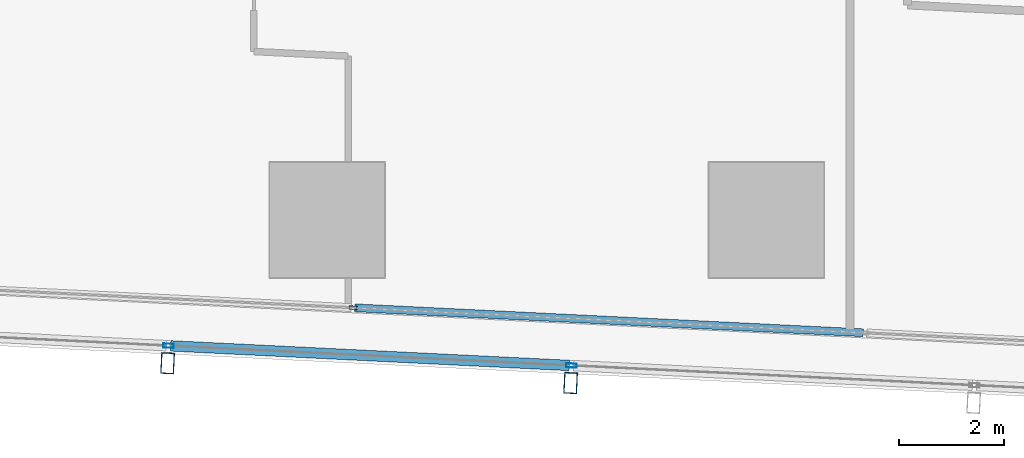
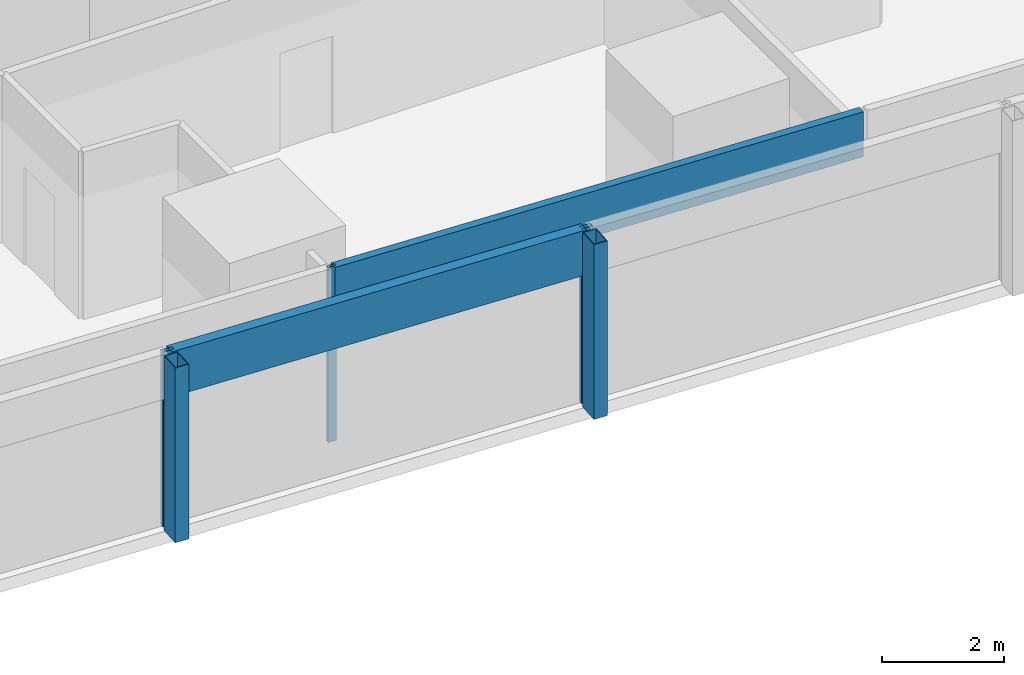
# One storey, part 5 of 42: 7 members, 2 elements without a shape of their own.
"""IFC4 building model written with IfcOpenShell, lengths in metres."""

import ifcopenshell
import ifcopenshell.guid

model = None  # the IFC model being written
_history = None  # IfcOwnerHistory: only IFC2X3 demands one
_inside = {}  # id of a spatial element -> (the spatial element, [elements in it])
_under = {}  # id of a project, library or spatial element -> (it, [spatial elements below it])
_declared = {}  # id of a project -> (the project, [libraries it declares])
_typed = {}  # id of a type object -> (the type object, [elements of that type])
_made_of = {}  # id of a material, layer set ... -> (it, [elements and type objects made of it])


def new_model(schema):
    """Start an empty IFC model of exactly this schema.

    Asked for "IFC4X3", IfcOpenShell would pick the latest addendum, in which some entities
    have other attributes; the version numbers below select the first issue.
    IFC2X3 requires an IfcOwnerHistory on every rooted entity: one is made here for all.
    """
    global model, _history
    if schema == "IFC4X3":
        model = ifcopenshell.file(schema_version=(4, 3, 0, 0))
    else:
        model = ifcopenshell.file(schema=schema)
    _inside.clear()
    _under.clear()
    _declared.clear()
    _typed.clear()
    _made_of.clear()
    _history = None
    if model.schema == "IFC2X3":
        org = make("IfcOrganization", Name="unknown")
        user = make(
            "IfcPersonAndOrganization",
            ThePerson=make("IfcPerson", FamilyName="unknown"),
            TheOrganization=org,
        )
        app = make(
            "IfcApplication",
            ApplicationDeveloper=org,
            Version="unknown",
            ApplicationFullName="unknown",
            ApplicationIdentifier="unknown",
        )
        _history = make(
            "IfcOwnerHistory",
            OwningUser=user,
            OwningApplication=app,
            ChangeAction="ADDED",
            CreationDate=0,
        )
    return model


def make(cls, **values):
    """One entity of the class cls with the attributes given. An attribute that is None is left unset."""
    return model.create_entity(
        cls, **{name: value for name, value in values.items() if value is not None}
    )


def rooted(cls, **values):
    """An entity with a GlobalId (a new one), such as an element, a storey or a relation."""
    return make(cls, GlobalId=ifcopenshell.guid.new(), OwnerHistory=_history, **values)


def si_unit(unit_type, name, prefix=None):
    """IfcSIUnit, for example si_unit("LENGTHUNIT", "METRE", prefix="MILLI")."""
    return make("IfcSIUnit", UnitType=unit_type, Prefix=prefix, Name=name)


def assignment(units):
    """IfcUnitAssignment: the units of a project."""
    return None if units is None else make("IfcUnitAssignment", Units=units)


def point(xyz):
    """IfcCartesianPoint."""
    return None if xyz is None else make("IfcCartesianPoint", Coordinates=xyz)


def direction(xyz):
    """IfcDirection."""
    return None if xyz is None else make("IfcDirection", DirectionRatios=xyz)


def frame(location, z_axis=None, x_axis=None):
    """IfcAxis2Placement3D, a coordinate frame: its origin and axes. An axis left out is left unset."""
    return make(
        "IfcAxis2Placement3D",
        Location=point(location),
        Axis=direction(z_axis),
        RefDirection=direction(x_axis),
    )


def frame_2d(location, x_axis=None):
    """IfcAxis2Placement2D, a coordinate frame in the plane: its origin and x axis."""
    return make(
        "IfcAxis2Placement2D", Location=point(location), RefDirection=direction(x_axis)
    )


def origin():
    """The frame at (0, 0, 0) with its axes left unset."""
    return frame((0.0, 0.0, 0.0))


def origin_2d():
    """The frame at (0, 0) in the plane with its x axis left unset."""
    return frame_2d((0.0, 0.0))


def place(relative_to, where):
    """IfcLocalPlacement: puts the frame where relative to a parent placement (None: the world)."""
    return make(
        "IfcLocalPlacement", PlacementRelTo=relative_to, RelativePlacement=where
    )


def context(
    kind, dimensions, precision=None, world=None, true_north=None, identifier=None
):
    """IfcGeometricRepresentationContext, for example the 3D "Model" context."""
    return make(
        "IfcGeometricRepresentationContext",
        ContextIdentifier=identifier,
        ContextType=kind,
        CoordinateSpaceDimension=dimensions,
        Precision=precision,
        WorldCoordinateSystem=world,
        TrueNorth=true_north,
    )


def subcontext(parent, identifier, kind, view, scale=None):
    """IfcGeometricRepresentationSubContext, for example "Body" below "Model"."""
    return make(
        "IfcGeometricRepresentationSubContext",
        ContextIdentifier=identifier,
        ContextType=kind,
        ParentContext=parent,
        TargetScale=scale,
        TargetView=view,
    )


def project(units=None, contexts=None):
    """IfcProject with its units and contexts."""
    return rooted(
        "IfcProject",
        Name="project",
        RepresentationContexts=contexts,
        UnitsInContext=assignment(units),
    )


def spatial(cls, under=None, at=None, **own):
    """A site, building, storey or space (cls), placed at a placement, below another one or the project."""
    s = rooted(cls, ObjectPlacement=at, **own)
    if under is not None:
        _under.setdefault(under.id(), (under, []))[1].append(s)
    return s


def profile(cls, at=None, kind="AREA", **sizes):
    """A parametric profile (cls). Its sizes go by their IFC names, for example OverallWidth=200.0."""
    return make(cls, ProfileType=kind, Position=at, **sizes)


def hollow_rectangle(**sizes):
    """IfcRectangleHollowProfileDef."""
    return profile("IfcRectangleHollowProfileDef", **sizes)


def extrude(swept, where, along, depth):
    """IfcExtrudedAreaSolid: the profile swept, set in the frame where, extruded along a direction by depth."""
    return make(
        "IfcExtrudedAreaSolid",
        SweptArea=swept,
        Position=where,
        ExtrudedDirection=direction(along),
        Depth=depth,
    )


def shape(context_of_items, identifier, shape_type, items):
    """IfcShapeRepresentation: the items that make up one representation, for example the "Body"."""
    return make(
        "IfcShapeRepresentation",
        ContextOfItems=context_of_items,
        RepresentationIdentifier=identifier,
        RepresentationType=shape_type,
        Items=items,
    )


def material(Name=None, Category=None):
    """IfcMaterial."""
    return make("IfcMaterial", Name=Name, Category=Category)


def material_profile(
    of_material, cross_section, Name=None, Category=None, Priority=None
):
    """IfcMaterialProfile: a cross section and its material."""
    return make(
        "IfcMaterialProfile",
        Name=Name,
        Material=of_material,
        Profile=cross_section,
        Priority=Priority,
        Category=Category,
    )


def profile_set(profiles, Name=None, composite=None):
    """IfcMaterialProfileSet."""
    return make(
        "IfcMaterialProfileSet",
        Name=Name,
        MaterialProfiles=profiles,
        CompositeProfile=composite,
    )


def made_of(thing, what):
    """Note that an element or type object is made of a material, layer set ...; save() writes the relation."""
    if what is not None:
        _made_of.setdefault(what.id(), (what, []))[1].append(thing)
    return thing


def type_object(cls, material=None, **own):
    """A type object (cls), such as IfcWallType, which elements share."""
    return made_of(rooted(cls, **own), material)


def element(
    cls,
    number,
    at=None,
    inside=None,
    cuts=None,
    type_object=None,
    material=None,
    context=None,
    identifier="Body",
    shape_type=None,
    held_by="IfcProductDefinitionShape",
    body=None,
    shapes=None,
    **own,
):
    """One element of the class cls, such as IfcWall. Its Tag is "e" and its number.

    at: its placement. inside: the storey or other place that contains it. cuts: it is an
    opening in that element (IfcRelVoidsElement). A single representation is given by context,
    identifier, shape_type and body (its items); several are given by shapes. held_by: the class
    of the entity that holds the representations. save() writes the other relations.
    """
    e = rooted(cls, Tag="e%d" % number, ObjectPlacement=at, **own)
    if body is not None:
        shapes = [shape(context, identifier, shape_type, body)]
    if shapes is not None:
        e.Representation = make(held_by, Representations=shapes)
    if inside is not None:
        _inside.setdefault(inside.id(), (inside, []))[1].append(e)
    if cuts is not None:
        rooted(
            "IfcRelVoidsElement", RelatingBuildingElement=cuts, RelatedOpeningElement=e
        )
    if type_object is not None:
        _typed.setdefault(type_object.id(), (type_object, []))[1].append(e)
    return made_of(e, material)


def aggregate(whole, parts):
    """IfcRelAggregates: a whole, such as a stair, and the parts it consists of."""
    return rooted("IfcRelAggregates", RelatingObject=whole, RelatedObjects=parts)


def save(model, path):
    """Write the relations noted so far, then the file.

    IfcRelAggregates (storeys below a building ...), IfcRelContainedInSpatialStructure (elements
    in a storey), IfcRelDefinesByType, IfcRelAssociatesMaterial and IfcRelDeclares: one each for
    every whole, place, type object, material and project.
    """
    for whole, parts in _under.values():
        aggregate(whole, parts)
    for where, things in _inside.values():
        rooted(
            "IfcRelContainedInSpatialStructure",
            RelatedElements=things,
            RelatingStructure=where,
        )
    for kind, things in _typed.values():
        rooted("IfcRelDefinesByType", RelatedObjects=things, RelatingType=kind)
    for what, things in _made_of.values():
        rooted("IfcRelAssociatesMaterial", RelatedObjects=things, RelatingMaterial=what)
    for by, libraries in _declared.values():
        rooted("IfcRelDeclares", RelatingContext=by, RelatedDefinitions=libraries)
    model.write(path)


model = new_model("IFC4")

# Units and contexts
model_context = context("Model", 3, precision=1e-05, world=origin(), true_north=direction((0.0, 1.0)))
body_context = subcontext(model_context, "Body", "Model", "MODEL_VIEW")
ifc_project = project(units=[si_unit("LENGTHUNIT", "METRE"), si_unit("AREAUNIT", "SQUARE_METRE"), si_unit("VOLUMEUNIT", "CUBIC_METRE"), si_unit("PLANEANGLEUNIT", "RADIAN"), si_unit("MASSUNIT", "GRAM", prefix="KILO")], contexts=[model_context])

# Site, building, storey
site_placement = place(None, origin())
site = spatial("IfcSite", under=ifc_project, at=site_placement, CompositionType="ELEMENT")
building_placement = place(site_placement, origin())
building = spatial("IfcBuilding", under=site, at=building_placement, Name="Rekha Terrace Tower", CompositionType="ELEMENT")
storey_placement = place(building_placement, frame((0.0, 0.0, 55.39990234375)))
storey = spatial("IfcBuildingStorey", under=building, at=storey_placement, Name="L13", CompositionType="ELEMENT", Elevation=55.39990234375)

# Curtain wall, members
ifc_material_1 = material(Name="Aluminium framing", Category="aluminium")
curtain_wall_type_1 = type_object("IfcCurtainWallType", Name="CW2 double skin outer glazing", PredefinedType="USERDEFINED", material=ifc_material_1)
curtain_wall_1_placement = place(storey_placement, origin())
curtain_wall_1 = element("IfcCurtainWall", 1, at=curtain_wall_1_placement, inside=storey, type_object=curtain_wall_type_1, Name="CW2 double skin outer glazing", ObjectType="DOUBLE SKIN OUTER GLAZING", PredefinedType="USERDEFINED")
ifc_material_2 = material(Name="Steel S355 with fluorocarbon finish", Category="steel")
ifc_material_profile_1 = material_profile(ifc_material_2, hollow_rectangle(XDim=0.25, YDim=0.39990234375, WallThickness=0.012451171875, at=origin_2d()), Name="RHS400x250x12.5")
ifc_profile_set_1 = profile_set([ifc_material_profile_1], Name="Steel S355 with fluorocarbon finish")
member_type_1 = type_object("IfcMemberType", Name="BL1 facade blade RHS 400 x 250", PredefinedType="USERDEFINED", material=ifc_profile_set_1)
member_1_placement = place(storey_placement, frame((22.14990234375, 5.6611328125, 0.0), z_axis=(0.0, 0.0, 1.0), x_axis=(0.998796226835, -0.049051985279, 0.0)))
member_1 = element("IfcMember", 2, at=member_1_placement, type_object=member_type_1, Name="Facade blade", ObjectType="FACADE BLADE", PredefinedType="USERDEFINED", context=body_context, shape_type="SweptSolid", body=[
    extrude(hollow_rectangle(XDim=0.25, YDim=0.39990234375, WallThickness=0.012451171875, at=origin_2d()), origin(), (0.0, 0.0, 1.0), 3.5),
])
member_2_placement = place(storey_placement, frame((29.856201171875, 5.28271484375, 0.0), z_axis=(0.0, 0.0, 1.0), x_axis=(0.998796226835, -0.049051985279, 0.0)))
member_2 = element("IfcMember", 3, at=member_2_placement, type_object=member_type_1, Name="Facade blade", ObjectType="FACADE BLADE", PredefinedType="USERDEFINED", context=body_context, shape_type="SweptSolid", body=[
    extrude(hollow_rectangle(XDim=0.25, YDim=0.39990234375, WallThickness=0.012451171875, at=origin_2d()), origin(), (0.0, 0.0, 1.0), 3.5),
])

curtain_wall_type_2 = type_object("IfcCurtainWallType", Name="CW1 double skin inner glazing", PredefinedType="USERDEFINED", material=ifc_material_1)
curtain_wall_2_placement = place(storey_placement, origin())
curtain_wall_2 = element("IfcCurtainWall", 4, at=curtain_wall_2_placement, inside=storey, type_object=curtain_wall_type_2, Name="CW1 double skin inner glazing", ObjectType="DOUBLE SKIN INNER GLAZING", PredefinedType="USERDEFINED")
ifc_material_3 = material(Name="Aluminium mullion section", Category="aluminium")
ifc_material_profile_2 = material_profile(ifc_material_3, hollow_rectangle(XDim=0.06494140625, YDim=0.14990234375, WallThickness=0.00390625, at=origin_2d()), Name="AL RHS 65x150")
ifc_profile_set_2 = profile_set([ifc_material_profile_2], Name="Aluminium mullion section")
member_type_2 = type_object("IfcMemberType", Name="CW1 mullion RHS 65 x 150", PredefinedType="MULLION", material=ifc_profile_set_2)
member_3_placement = place(storey_placement, frame((25.696044921875, 6.723388671875, 0.0), z_axis=(0.0, 0.0, 1.0), x_axis=(0.049051717746, 0.998796239974, 0.0)))
member_3 = element("IfcMember", 5, at=member_3_placement, type_object=member_type_2, Name="CW1 mullion 2", PredefinedType="MULLION", context=body_context, shape_type="SweptSolid", body=[
    extrude(hollow_rectangle(XDim=0.06494140625, YDim=0.14990234375, WallThickness=0.00390625, at=origin_2d()), origin(), (0.0, 0.0, 1.0), 3.5),
])
ifc_material_4 = material(Name="Insulated aluminium spandrel box", Category="aluminium")
ifc_material_profile_3 = material_profile(ifc_material_4, hollow_rectangle(XDim=0.14990234375, YDim=0.89990234375, WallThickness=0.0029296875, at=origin_2d()), Name="AL SPANDREL BOX 150x900")
ifc_profile_set_3 = profile_set([ifc_material_profile_3], Name="Insulated aluminium spandrel box")
member_type_3 = type_object("IfcMemberType", Name="CW1 spandrel transom 150 x 900", PredefinedType="USERDEFINED", material=ifc_profile_set_3)
member_4_placement = place(storey_placement, frame((25.728515625, 6.721923828125, 3.050048828125), z_axis=(0.998796042167, -0.049055745348, 0.0), x_axis=(0.049055745348, 0.998796042167, 0.0)))
member_4 = element("IfcMember", 6, at=member_4_placement, type_object=member_type_3, Name="CW1 spandrel transom 2", ObjectType="TRANSOM", PredefinedType="USERDEFINED", context=body_context, shape_type="SweptSolid", body=[
    extrude(hollow_rectangle(XDim=0.14990234375, YDim=0.89990234375, WallThickness=0.0029296875, at=origin_2d()), origin(), (0.0, 0.0, 1.0), 9.734619140625),
])
aggregate(curtain_wall_2, [member_3, member_4])

# Member
ifc_material_profile_4 = material_profile(ifc_material_3, hollow_rectangle(XDim=0.080078125, YDim=0.199951171875, WallThickness=0.00390625, at=origin_2d()), Name="AL RHS 80x200")
ifc_profile_set_4 = profile_set([ifc_material_profile_4], Name="Aluminium mullion section")
member_type_4 = type_object("IfcMemberType", Name="CW2 mullion RHS 80 x 200", PredefinedType="MULLION", material=ifc_profile_set_4)
member_5_placement = place(storey_placement, frame((22.166259765625, 5.99560546875, 0.0), z_axis=(0.0, 0.0, 1.0), x_axis=(0.049051717746, 0.998796239974, 0.0)))
member_5 = element("IfcMember", 7, at=member_5_placement, type_object=member_type_4, Name="CW2 mullion 3", PredefinedType="MULLION", context=body_context, shape_type="SweptSolid", body=[
    extrude(hollow_rectangle(XDim=0.080078125, YDim=0.199951171875, WallThickness=0.00390625, at=origin_2d()), origin(), (0.0, 0.0, 1.0), 3.5),
])

member_6_placement = place(storey_placement, frame((29.872802734375, 5.6171875, 0.0), z_axis=(0.0, 0.0, 1.0), x_axis=(0.049051717746, 0.998796239974, 0.0)))
member_6 = element("IfcMember", 8, at=member_6_placement, type_object=member_type_4, Name="CW2 mullion 4", PredefinedType="MULLION", context=body_context, shape_type="SweptSolid", body=[
    extrude(hollow_rectangle(XDim=0.080078125, YDim=0.199951171875, WallThickness=0.00390625, at=origin_2d()), origin(), (0.0, 0.0, 1.0), 3.5),
])

ifc_material_profile_5 = material_profile(ifc_material_4, hollow_rectangle(XDim=0.199951171875, YDim=0.89990234375, WallThickness=0.0029296875, at=origin_2d()), Name="AL SPANDREL BOX 200x900")
ifc_profile_set_5 = profile_set([ifc_material_profile_5], Name="Insulated aluminium spandrel box")
member_type_5 = type_object("IfcMemberType", Name="CW2 spandrel transom 200 x 900", PredefinedType="USERDEFINED", material=ifc_profile_set_5)
member_7_placement = place(storey_placement, frame((22.206298828125, 5.99365234375, 3.050048828125), z_axis=(0.998796434643, -0.049047753721, 0.0), x_axis=(0.049047753721, 0.998796434643, 0.0)))
member_7 = element("IfcMember", 9, at=member_7_placement, type_object=member_type_5, Name="CW2 spandrel transom 3", ObjectType="TRANSOM", PredefinedType="USERDEFINED", context=body_context, shape_type="SweptSolid", body=[
    extrude(hollow_rectangle(XDim=0.199951171875, YDim=0.89990234375, WallThickness=0.0029296875, at=origin_2d()), origin(), (0.0, 0.0, 1.0), 7.6357421875),
])

aggregate(curtain_wall_1, [member_5, member_6, member_7, member_1, member_2])

save(model, "model.ifc")
